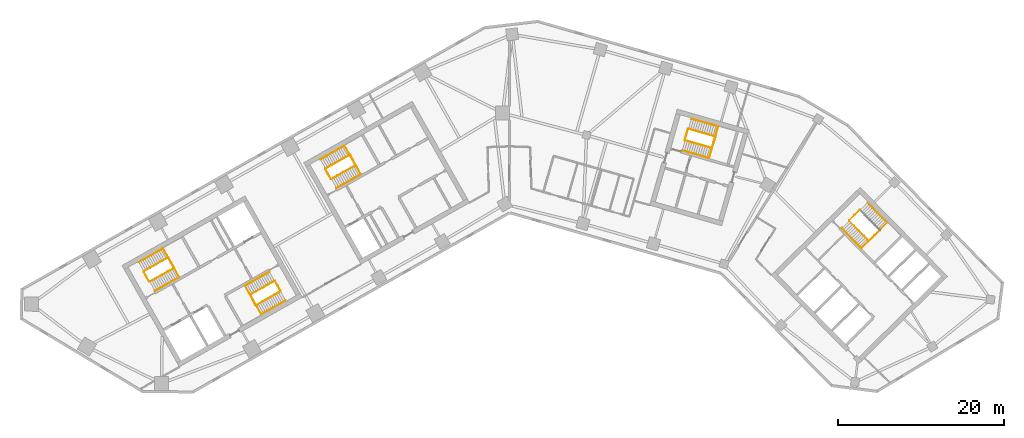
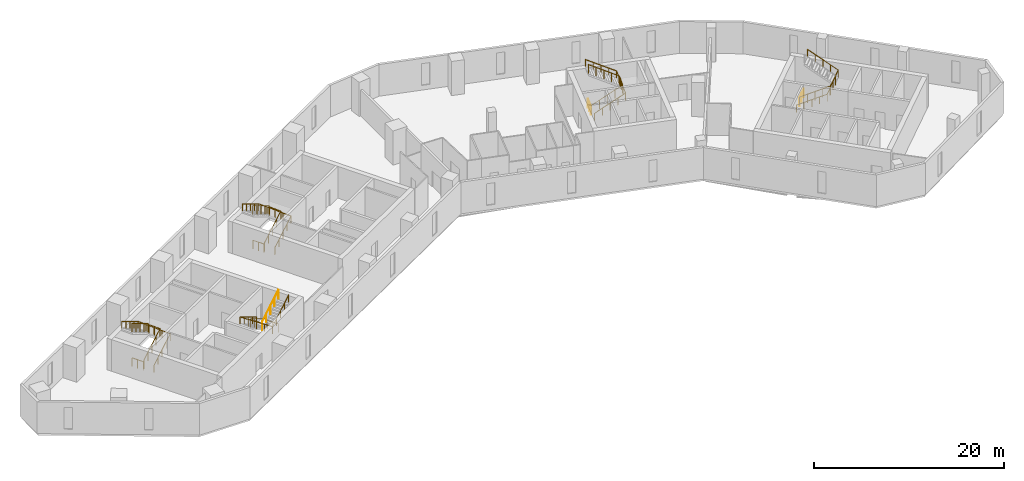
# One storey, part 9 of 10: 19 railings.
"""IFC4 building model written with IfcOpenShell, lengths in metres."""

from ifc_helpers import new_model, si_unit, direction, frame, origin, origin_2d, place, context, subcontext, project, spatial, circle, extrude, material, type_object, element, save


model = new_model("IFC4")

# Units and contexts
model_context = context("Model", 3, precision=1e-05, world=origin(), true_north=direction((0.0, 1.0)))
body_context = subcontext(model_context, "Body", "Model", "MODEL_VIEW")
ifc_project = project(units=[si_unit("LENGTHUNIT", "METRE"), si_unit("AREAUNIT", "SQUARE_METRE"), si_unit("VOLUMEUNIT", "CUBIC_METRE"), si_unit("PLANEANGLEUNIT", "RADIAN"), si_unit("MASSUNIT", "GRAM", prefix="KILO")], contexts=[model_context])

# Site, building, storey
site_placement = place(None, origin())
site = spatial("IfcSite", under=ifc_project, at=site_placement, CompositionType="ELEMENT")
building_placement = place(site_placement, origin())
building = spatial("IfcBuilding", under=site, at=building_placement, Name="Binnacle Exchange Tower", CompositionType="ELEMENT")
storey_placement = place(building_placement, frame((0.0, 0.0, 127.89990234375)))
storey = spatial("IfcBuildingStorey", under=building, at=storey_placement, Name="L26", CompositionType="ELEMENT", Elevation=127.89990234375)

# Railings
ifc_material_1 = material(Name="Steel guard rail", Category="steel")
railing_type_1 = type_object("IfcRailingType", Name="STAIR GUARD 1100", PredefinedType="GUARDRAIL", material=ifc_material_1)
railing_1_placement = place(storey_placement, frame((-43.26171875, 39.71728515625, 0.16943359375)))
element("IfcRailing", 1, at=railing_1_placement, inside=storey, type_object=railing_type_1, Name="L26 STA1 stair guard 1", PredefinedType="GUARDRAIL", context=body_context, shape_type="SweptSolid", body=[
    extrude(circle(Radius=0.02392578125, at=origin_2d()), frame((0.0, 0.0, 1.076171875), z_axis=(0.744867460262, 0.421436531824, 0.517265614832), x_axis=(-0.492433119026, 0.870350287693, 0.0)), (0.0, 0.0, 1.0), 3.926025390625),
    extrude(circle(Radius=0.02392578125, at=origin_2d()), frame((2.92431640625, 1.654541015625, 3.10693359375), z_axis=(-0.460963092712, 0.887419307406, 0.0), x_axis=(-0.887419307406, -0.460963092712, 0.0)), (0.0, 0.0, 1.0), 1.40087890625),
    extrude(circle(Radius=0.02099609375, at=origin_2d()), origin(), (0.0, 0.0, 1.0), 1.052001953125),
    extrude(circle(Radius=0.02099609375, at=origin_2d()), frame((0.73095703125, 0.41357421875, 0.5078125)), (0.0, 0.0, 1.0), 1.052001953125),
    extrude(circle(Radius=0.02099609375, at=origin_2d()), frame((1.462158203125, 0.8271484375, 1.015380859375)), (0.0, 0.0, 1.0), 1.052001953125),
    extrude(circle(Radius=0.02099609375, at=origin_2d()), frame((2.193359375, 1.240966796875, 1.52294921875)), (0.0, 0.0, 1.0), 1.052001953125),
    extrude(circle(Radius=0.02099609375, at=origin_2d()), frame((2.92431640625, 1.654541015625, 2.03076171875)), (0.0, 0.0, 1.0), 1.052001953125),
    extrude(circle(Radius=0.02099609375, at=origin_2d()), frame((2.6015625, 2.276123046875, 2.03076171875)), (0.0, 0.0, 1.0), 1.052001953125),
    extrude(circle(Radius=0.02099609375, at=origin_2d()), frame((2.278564453125, 2.897705078125, 2.03076171875)), (0.0, 0.0, 1.0), 1.052001953125),
])
railing_2_placement = place(storey_placement, frame((-41.05126953125, 42.6337890625, 2.369384765625)))
element("IfcRailing", 2, at=railing_2_placement, inside=storey, type_object=railing_type_1, Name="L26 STA1 stair guard 2", PredefinedType="GUARDRAIL", context=body_context, shape_type="SweptSolid", body=[
    extrude(circle(Radius=0.02392578125, at=origin_2d()), frame((0.0, 0.0, 1.076171875), z_axis=(-0.744895141965, -0.421417011194, 0.517241655469), x_axis=(0.49240197835, -0.870367905955, 0.0)), (0.0, 0.0, 1.0), 3.926025390625),
    extrude(circle(Radius=0.02099609375, at=origin_2d()), origin(), (0.0, 0.0, 1.0), 1.052001953125),
    extrude(circle(Radius=0.02099609375, at=origin_2d()), frame((-0.731201171875, -0.41357421875, 0.5078125)), (0.0, 0.0, 1.0), 1.052001953125),
    extrude(circle(Radius=0.02099609375, at=origin_2d()), frame((-1.46240234375, -0.8271484375, 1.015380859375)), (0.0, 0.0, 1.0), 1.052001953125),
    extrude(circle(Radius=0.02099609375, at=origin_2d()), frame((-2.193359375, -1.240966796875, 1.52294921875)), (0.0, 0.0, 1.0), 1.052001953125),
    extrude(circle(Radius=0.02099609375, at=origin_2d()), frame((-2.924560546875, -1.654541015625, 2.03076171875)), (0.0, 0.0, 1.0), 1.052001953125),
])
railing_3_placement = place(storey_placement, frame((-43.329833984375, 39.736328125, 0.0)))
element("IfcRailing", 3, at=railing_3_placement, inside=storey, type_object=railing_type_1, Name="L26 STA1 stair guard 3", PredefinedType="GUARDRAIL", context=body_context, shape_type="SweptSolid", body=[
    extrude(circle(Radius=0.02392578125, at=origin_2d()), frame((0.0, 0.0, 1.076171875), z_axis=(-0.4924922531, 0.870316827734, 0.0), x_axis=(-0.870316827734, -0.4924922531, 0.0)), (0.0, 0.0, 1.0), 1.349853515625),
    extrude(circle(Radius=0.02099609375, at=origin_2d()), origin(), (0.0, 0.0, 1.0), 1.052001953125),
    extrude(circle(Radius=0.02099609375, at=origin_2d()), frame((-0.33251953125, 0.58740234375, 0.0)), (0.0, 0.0, 1.0), 1.052001953125),
    extrude(circle(Radius=0.02099609375, at=origin_2d()), frame((-0.664794921875, 1.1748046875, 0.0)), (0.0, 0.0, 1.0), 1.052001953125),
])
railing_4_placement = place(storey_placement, frame((-28.265380859375, 39.814453125, 0.16943359375)))
element("IfcRailing", 4, at=railing_4_placement, inside=storey, type_object=railing_type_1, Name="L26 STA2 stair guard 1", PredefinedType="GUARDRAIL", context=body_context, shape_type="SweptSolid", body=[
    extrude(circle(Radius=0.02392578125, at=origin_2d()), frame((0.0, 0.0, 1.076171875), z_axis=(-0.744895141965, -0.421417011194, 0.517241655469), x_axis=(0.49240197835, -0.870367905955, 0.0)), (0.0, 0.0, 1.0), 3.926025390625),
    extrude(circle(Radius=0.02392578125, at=origin_2d()), frame((-2.924560546875, -1.654541015625, 3.10693359375), z_axis=(0.461100321709, -0.887348011391, 0.0), x_axis=(0.887348011391, 0.461100321709, 0.0)), (0.0, 0.0, 1.0), 1.40087890625),
    extrude(circle(Radius=0.02099609375, at=origin_2d()), origin(), (0.0, 0.0, 1.0), 1.052001953125),
    extrude(circle(Radius=0.02099609375, at=origin_2d()), frame((-0.731201171875, -0.41357421875, 0.5078125)), (0.0, 0.0, 1.0), 1.052001953125),
    extrude(circle(Radius=0.02099609375, at=origin_2d()), frame((-1.46240234375, -0.8271484375, 1.015380859375)), (0.0, 0.0, 1.0), 1.052001953125),
    extrude(circle(Radius=0.02099609375, at=origin_2d()), frame((-2.193359375, -1.240966796875, 1.52294921875)), (0.0, 0.0, 1.0), 1.052001953125),
    extrude(circle(Radius=0.02099609375, at=origin_2d()), frame((-2.924560546875, -1.654541015625, 2.03076171875)), (0.0, 0.0, 1.0), 1.052001953125),
    extrude(circle(Radius=0.02099609375, at=origin_2d()), frame((-2.6015625, -2.276123046875, 2.03076171875)), (0.0, 0.0, 1.0), 1.052001953125),
    extrude(circle(Radius=0.02099609375, at=origin_2d()), frame((-2.278564453125, -2.897705078125, 2.03076171875)), (0.0, 0.0, 1.0), 1.052001953125),
])
railing_5_placement = place(storey_placement, frame((-30.475830078125, 36.89794921875, 2.369384765625)))
element("IfcRailing", 5, at=railing_5_placement, inside=storey, type_object=railing_type_1, Name="L26 STA2 stair guard 2", PredefinedType="GUARDRAIL", context=body_context, shape_type="SweptSolid", body=[
    extrude(circle(Radius=0.02392578125, at=origin_2d()), frame((0.0, 0.0, 1.076171875), z_axis=(0.744867460262, 0.421436531824, 0.517265614832), x_axis=(-0.492433119026, 0.870350287693, 0.0)), (0.0, 0.0, 1.0), 3.926025390625),
    extrude(circle(Radius=0.02099609375, at=origin_2d()), origin(), (0.0, 0.0, 1.0), 1.052001953125),
    extrude(circle(Radius=0.02099609375, at=origin_2d()), frame((0.73095703125, 0.41357421875, 0.5078125)), (0.0, 0.0, 1.0), 1.052001953125),
    extrude(circle(Radius=0.02099609375, at=origin_2d()), frame((1.462158203125, 0.8271484375, 1.015380859375)), (0.0, 0.0, 1.0), 1.052001953125),
    extrude(circle(Radius=0.02099609375, at=origin_2d()), frame((2.193359375, 1.240966796875, 1.52294921875)), (0.0, 0.0, 1.0), 1.052001953125),
    extrude(circle(Radius=0.02099609375, at=origin_2d()), frame((2.92431640625, 1.654541015625, 2.03076171875)), (0.0, 0.0, 1.0), 1.052001953125),
])
railing_6_placement = place(storey_placement, frame((-28.197265625, 39.795654296875, 0.0)))
element("IfcRailing", 6, at=railing_6_placement, inside=storey, type_object=railing_type_1, Name="L26 STA2 stair guard 3", PredefinedType="GUARDRAIL", context=body_context, shape_type="SweptSolid", body=[
    extrude(circle(Radius=0.02392578125, at=origin_2d()), frame((0.0, 0.0, 1.076171875), z_axis=(0.49241474071, -0.870360685654, 0.0), x_axis=(0.870360685654, 0.49241474071, 0.0)), (0.0, 0.0, 1.0), 1.35009765625),
    extrude(circle(Radius=0.02099609375, at=origin_2d()), origin(), (0.0, 0.0, 1.0), 1.052001953125),
    extrude(circle(Radius=0.02099609375, at=origin_2d()), frame((0.33251953125, -0.58740234375, 0.0)), (0.0, 0.0, 1.0), 1.052001953125),
    extrude(circle(Radius=0.02099609375, at=origin_2d()), frame((0.664794921875, -1.175048828125, 0.0)), (0.0, 0.0, 1.0), 1.052001953125),
])
railing_7_placement = place(storey_placement, frame((40.822509765625, 47.046875, 0.16943359375)))
element("IfcRailing", 7, at=railing_7_placement, inside=storey, type_object=railing_type_1, Name="L26 STB1 stair guard 1", PredefinedType="GUARDRAIL", context=body_context, shape_type="SweptSolid", body=[
    extrude(circle(Radius=0.02392578125, at=origin_2d()), frame((0.0, 0.0, 1.076171875), z_axis=(0.599850224077, -0.610421915772, 0.51726665601), x_axis=(0.713256128111, 0.700903485305, 0.0)), (0.0, 0.0, 1.0), 3.926025390625),
    extrude(circle(Radius=0.02392578125, at=origin_2d()), frame((2.35498046875, -2.396484375, 3.10693359375), z_axis=(0.732527851538, 0.680737061369, 0.0), x_axis=(-0.680737061369, 0.732527851538, 0.0)), (0.0, 0.0, 1.0), 1.80078125),
    extrude(circle(Radius=0.02099609375, at=origin_2d()), origin(), (0.0, 0.0, 1.0), 1.052001953125),
    extrude(circle(Radius=0.02099609375, at=origin_2d()), frame((0.5888671875, -0.59912109375, 0.5078125)), (0.0, 0.0, 1.0), 1.052001953125),
    extrude(circle(Radius=0.02099609375, at=origin_2d()), frame((1.177490234375, -1.1982421875, 1.015380859375)), (0.0, 0.0, 1.0), 1.052001953125),
    extrude(circle(Radius=0.02099609375, at=origin_2d()), frame((1.76611328125, -1.79736328125, 1.52294921875)), (0.0, 0.0, 1.0), 1.052001953125),
    extrude(circle(Radius=0.02099609375, at=origin_2d()), frame((2.35498046875, -2.396484375, 2.03076171875)), (0.0, 0.0, 1.0), 1.052001953125),
    extrude(circle(Radius=0.02099609375, at=origin_2d()), frame((3.0146484375, -1.78369140625, 2.03076171875)), (0.0, 0.0, 1.0), 1.052001953125),
    extrude(circle(Radius=0.02099609375, at=origin_2d()), frame((3.674072265625, -1.170654296875, 2.03076171875)), (0.0, 0.0, 1.0), 1.052001953125),
])
railing_8_placement = place(storey_placement, frame((40.8232421875, 47.117431640625, 0.0)))
element("IfcRailing", 8, at=railing_8_placement, inside=storey, type_object=railing_type_1, Name="L26 STB1 stair guard 3", PredefinedType="GUARDRAIL", context=body_context, shape_type="SweptSolid", body=[
    extrude(circle(Radius=0.02392578125, at=origin_2d()), frame((0.0, 0.0, 1.076171875), z_axis=(0.713218950569, 0.700941316052, 0.0), x_axis=(-0.700941316052, 0.713218950569, 0.0)), (0.0, 0.0, 1.0), 1.75),
    extrude(circle(Radius=0.02099609375, at=origin_2d()), origin(), (0.0, 0.0, 1.0), 1.052001953125),
    extrude(circle(Radius=0.02099609375, at=origin_2d()), frame((0.6240234375, 0.61328125, 0.0)), (0.0, 0.0, 1.0), 1.052001953125),
    extrude(circle(Radius=0.02099609375, at=origin_2d()), frame((1.248046875, 1.2265625, 0.0)), (0.0, 0.0, 1.0), 1.052001953125),
])
railing_9_placement = place(storey_placement, frame((-21.423828125, 52.07275390625, 0.16943359375)))
element("IfcRailing", 9, at=railing_9_placement, inside=storey, type_object=railing_type_1, Name="L26 STC1 stair guard 1", PredefinedType="GUARDRAIL", context=body_context, shape_type="SweptSolid", body=[
    extrude(circle(Radius=0.02392578125, at=origin_2d()), frame((0.0, 0.0, 1.076171875), z_axis=(0.744895141965, 0.421417011194, 0.517241655469), x_axis=(-0.49240197835, 0.870367905955, 0.0)), (0.0, 0.0, 1.0), 3.926025390625),
    extrude(circle(Radius=0.02392578125, at=origin_2d()), frame((2.924560546875, 1.654541015625, 3.10693359375), z_axis=(-0.461171632143, 0.887310952094, 0.0), x_axis=(-0.887310952094, -0.461171632143, 0.0)), (0.0, 0.0, 1.0), 1.40087890625),
    extrude(circle(Radius=0.02099609375, at=origin_2d()), origin(), (0.0, 0.0, 1.0), 1.052001953125),
    extrude(circle(Radius=0.02099609375, at=origin_2d()), frame((0.731201171875, 0.41357421875, 0.5078125)), (0.0, 0.0, 1.0), 1.052001953125),
    extrude(circle(Radius=0.02099609375, at=origin_2d()), frame((1.46240234375, 0.8271484375, 1.015380859375)), (0.0, 0.0, 1.0), 1.052001953125),
    extrude(circle(Radius=0.02099609375, at=origin_2d()), frame((2.193359375, 1.240966796875, 1.52294921875)), (0.0, 0.0, 1.0), 1.052001953125),
    extrude(circle(Radius=0.02099609375, at=origin_2d()), frame((2.924560546875, 1.654541015625, 2.03076171875)), (0.0, 0.0, 1.0), 1.052001953125),
    extrude(circle(Radius=0.02099609375, at=origin_2d()), frame((2.6015625, 2.27587890625, 2.03076171875)), (0.0, 0.0, 1.0), 1.052001953125),
    extrude(circle(Radius=0.02099609375, at=origin_2d()), frame((2.278564453125, 2.8974609375, 2.03076171875)), (0.0, 0.0, 1.0), 1.052001953125),
])
railing_10_placement = place(storey_placement, frame((-19.21337890625, 54.9892578125, 2.369384765625)))
element("IfcRailing", 10, at=railing_10_placement, inside=storey, type_object=railing_type_1, Name="L26 STC1 stair guard 2", PredefinedType="GUARDRAIL", context=body_context, shape_type="SweptSolid", body=[
    extrude(circle(Radius=0.02392578125, at=origin_2d()), frame((0.0, 0.0, 1.076171875), z_axis=(-0.744867460262, -0.421436531824, 0.517265614832), x_axis=(0.492433119026, -0.870350287693, 0.0)), (0.0, 0.0, 1.0), 3.926025390625),
    extrude(circle(Radius=0.02099609375, at=origin_2d()), origin(), (0.0, 0.0, 1.0), 1.052001953125),
    extrude(circle(Radius=0.02099609375, at=origin_2d()), frame((-0.73095703125, -0.41357421875, 0.5078125)), (0.0, 0.0, 1.0), 1.052001953125),
    extrude(circle(Radius=0.02099609375, at=origin_2d()), frame((-1.462158203125, -0.8271484375, 1.015380859375)), (0.0, 0.0, 1.0), 1.052001953125),
    extrude(circle(Radius=0.02099609375, at=origin_2d()), frame((-2.193359375, -1.240966796875, 1.52294921875)), (0.0, 0.0, 1.0), 1.052001953125),
    extrude(circle(Radius=0.02099609375, at=origin_2d()), frame((-2.92431640625, -1.654541015625, 2.03076171875)), (0.0, 0.0, 1.0), 1.052001953125),
])
railing_11_placement = place(storey_placement, frame((-21.491943359375, 52.091552734375, 0.0)))
element("IfcRailing", 11, at=railing_11_placement, inside=storey, type_object=railing_type_1, Name="L26 STC1 stair guard 3", PredefinedType="GUARDRAIL", context=body_context, shape_type="SweptSolid", body=[
    extrude(circle(Radius=0.02392578125, at=origin_2d()), frame((0.0, 0.0, 1.076171875), z_axis=(-0.49241474071, 0.870360685654, 0.0), x_axis=(-0.870360685654, -0.49241474071, 0.0)), (0.0, 0.0, 1.0), 1.35009765625),
    extrude(circle(Radius=0.02099609375, at=origin_2d()), origin(), (0.0, 0.0, 1.0), 1.052001953125),
    extrude(circle(Radius=0.02099609375, at=origin_2d()), frame((-0.33251953125, 0.58740234375, 0.0)), (0.0, 0.0, 1.0), 1.052001953125),
    extrude(circle(Radius=0.02099609375, at=origin_2d()), frame((-0.664794921875, 1.175048828125, 0.0)), (0.0, 0.0, 1.0), 1.052001953125),
])
railing_12_placement = place(storey_placement, frame((21.086669921875, 56.71044921875, 0.16943359375)))
element("IfcRailing", 12, at=railing_12_placement, inside=storey, type_object=railing_type_1, Name="L26 STD1 stair guard 1", PredefinedType="GUARDRAIL", context=body_context, shape_type="SweptSolid", body=[
    extrude(circle(Radius=0.02392578125, at=origin_2d()), frame((0.0, 0.0, 1.076171875), z_axis=(0.82266146106, -0.235934506256, 0.517264950721), x_axis=(0.27568068152, 0.961249271436, 0.0)), (0.0, 0.0, 1.0), 3.926025390625),
    extrude(circle(Radius=0.02392578125, at=origin_2d()), frame((3.229736328125, -0.92626953125, 3.10693359375), z_axis=(0.309842533299, 0.950787886208, 0.0), x_axis=(-0.950787886208, 0.309842533299, 0.0)), (0.0, 0.0, 1.0), 1.40087890625),
    extrude(circle(Radius=0.02099609375, at=origin_2d()), origin(), (0.0, 0.0, 1.0), 1.052001953125),
    extrude(circle(Radius=0.02099609375, at=origin_2d()), frame((0.807373046875, -0.2314453125, 0.5078125)), (0.0, 0.0, 1.0), 1.052001953125),
    extrude(circle(Radius=0.02099609375, at=origin_2d()), frame((1.61474609375, -0.463134765625, 1.015380859375)), (0.0, 0.0, 1.0), 1.052001953125),
    extrude(circle(Radius=0.02099609375, at=origin_2d()), frame((2.42236328125, -0.69482421875, 1.52294921875)), (0.0, 0.0, 1.0), 1.052001953125),
    extrude(circle(Radius=0.02099609375, at=origin_2d()), frame((3.229736328125, -0.92626953125, 2.03076171875)), (0.0, 0.0, 1.0), 1.052001953125),
    extrude(circle(Radius=0.02099609375, at=origin_2d()), frame((3.44677734375, -0.26025390625, 2.03076171875)), (0.0, 0.0, 1.0), 1.052001953125),
    extrude(circle(Radius=0.02099609375, at=origin_2d()), frame((3.663818359375, 0.40576171875, 2.03076171875)), (0.0, 0.0, 1.0), 1.052001953125),
])
railing_13_placement = place(storey_placement, frame((24.716064453125, 57.177978515625, 2.369384765625)))
element("IfcRailing", 13, at=railing_13_placement, inside=storey, type_object=railing_type_1, Name="L26 STD1 stair guard 2", PredefinedType="GUARDRAIL", context=body_context, shape_type="SweptSolid", body=[
    extrude(circle(Radius=0.02392578125, at=origin_2d()), frame((0.0, 0.0, 1.076171875), z_axis=(-0.82266146106, 0.235934506256, 0.517264950721), x_axis=(-0.27568068152, -0.961249271436, 0.0)), (0.0, 0.0, 1.0), 3.926025390625),
    extrude(circle(Radius=0.02099609375, at=origin_2d()), origin(), (0.0, 0.0, 1.0), 1.052001953125),
    extrude(circle(Radius=0.02099609375, at=origin_2d()), frame((-0.807373046875, 0.2314453125, 0.5078125)), (0.0, 0.0, 1.0), 1.052001953125),
    extrude(circle(Radius=0.02099609375, at=origin_2d()), frame((-1.61474609375, 0.463134765625, 1.015380859375)), (0.0, 0.0, 1.0), 1.052001953125),
    extrude(circle(Radius=0.02099609375, at=origin_2d()), frame((-2.42236328125, 0.69482421875, 1.52294921875)), (0.0, 0.0, 1.0), 1.052001953125),
    extrude(circle(Radius=0.02099609375, at=origin_2d()), frame((-3.229736328125, 0.92626953125, 2.03076171875)), (0.0, 0.0, 1.0), 1.052001953125),
])
railing_14_placement = place(storey_placement, frame((21.05224609375, 56.772216796875, 0.0)))
element("IfcRailing", 14, at=railing_14_placement, inside=storey, type_object=railing_type_1, Name="L26 STD1 stair guard 3", PredefinedType="GUARDRAIL", context=body_context, shape_type="SweptSolid", body=[
    extrude(circle(Radius=0.02392578125, at=origin_2d()), frame((0.0, 0.0, 1.076171875), z_axis=(0.275795817769, 0.961216243569, 0.0), x_axis=(-0.961216243569, 0.275795817769, 0.0)), (0.0, 0.0, 1.0), 1.349853515625),
    extrude(circle(Radius=0.02099609375, at=origin_2d()), origin(), (0.0, 0.0, 1.0), 1.052001953125),
    extrude(circle(Radius=0.02099609375, at=origin_2d()), frame((0.18603515625, 0.64892578125, 0.0)), (0.0, 0.0, 1.0), 1.052001953125),
    extrude(circle(Radius=0.02099609375, at=origin_2d()), frame((0.372314453125, 1.297607421875, 0.0)), (0.0, 0.0, 1.0), 1.052001953125),
])
ifc_material_2 = material(Name="Steel handrail", Category="steel")
railing_type_2 = type_object("IfcRailingType", Name="STAIR HANDRAIL 900", PredefinedType="HANDRAIL", material=ifc_material_2)
railing_15_placement = place(storey_placement, frame((-42.646240234375, 38.62939453125, 0.16943359375)))
element("IfcRailing", 15, at=railing_15_placement, inside=storey, type_object=railing_type_2, Name="L26 STA1 stair handrail 1", PredefinedType="HANDRAIL", context=body_context, shape_type="SweptSolid", body=[
    extrude(circle(Radius=0.02392578125, at=origin_2d()), frame((0.0, 0.0, 0.8759765625), z_axis=(0.744867460262, 0.421436531824, 0.517265614832), x_axis=(-0.492433119026, 0.870350287693, 0.0)), (0.0, 0.0, 1.0), 3.926025390625),
    extrude(circle(Radius=0.02392578125, at=origin_2d()), frame((2.92431640625, 1.654541015625, 2.90673828125), z_axis=(-0.491962556146, 0.869564041126, 0.04279277663), x_axis=(-0.870361318571, -0.492413622004, 0.0)), (0.0, 0.0, 1.0), 3.95361328125),
    extrude(circle(Radius=0.02392578125, at=origin_2d()), frame((0.979248046875, 5.092529296875, 3.07568359375), z_axis=(-0.744867460262, -0.421436531824, 0.517265614832), x_axis=(0.492433119026, -0.870350287693, 0.0)), (0.0, 0.0, 1.0), 3.926025390625),
    extrude(circle(Radius=0.02099609375, at=origin_2d()), origin(), (0.0, 0.0, 1.0), 0.851806640625),
    extrude(circle(Radius=0.02099609375, at=origin_2d()), frame((0.73095703125, 0.41357421875, 0.5078125)), (0.0, 0.0, 1.0), 0.851806640625),
    extrude(circle(Radius=0.02099609375, at=origin_2d()), frame((1.462158203125, 0.8271484375, 1.015380859375)), (0.0, 0.0, 1.0), 0.851806640625),
    extrude(circle(Radius=0.02099609375, at=origin_2d()), frame((2.193359375, 1.240966796875, 1.52294921875)), (0.0, 0.0, 1.0), 0.851806640625),
    extrude(circle(Radius=0.02099609375, at=origin_2d()), frame((2.92431640625, 1.654541015625, 2.03076171875)), (0.0, 0.0, 1.0), 0.851806640625),
    extrude(circle(Radius=0.02099609375, at=origin_2d()), frame((2.43798828125, 2.51416015625, 2.072998046875)), (0.0, 0.0, 1.0), 0.851806640625),
    extrude(circle(Radius=0.02099609375, at=origin_2d()), frame((1.95166015625, 3.37353515625, 2.115234375)), (0.0, 0.0, 1.0), 0.851806640625),
    extrude(circle(Radius=0.02099609375, at=origin_2d()), frame((1.465576171875, 4.23291015625, 2.15771484375)), (0.0, 0.0, 1.0), 0.851806640625),
    extrude(circle(Radius=0.02099609375, at=origin_2d()), frame((0.979248046875, 5.092529296875, 2.199951171875)), (0.0, 0.0, 1.0), 0.851806640625),
    extrude(circle(Radius=0.02099609375, at=origin_2d()), frame((0.248046875, 4.678955078125, 2.70751953125)), (0.0, 0.0, 1.0), 0.851806640625),
    extrude(circle(Radius=0.02099609375, at=origin_2d()), frame((-0.48291015625, 4.26513671875, 3.21533203125)), (0.0, 0.0, 1.0), 0.851806640625),
    extrude(circle(Radius=0.02099609375, at=origin_2d()), frame((-1.2138671875, 3.8515625, 3.72314453125)), (0.0, 0.0, 1.0), 0.851806640625),
    extrude(circle(Radius=0.02099609375, at=origin_2d()), frame((-1.945068359375, 3.43798828125, 4.230712890625)), (0.0, 0.0, 1.0), 0.851806640625),
])
railing_16_placement = place(storey_placement, frame((-28.880859375, 40.90234375, 0.16943359375)))
element("IfcRailing", 16, at=railing_16_placement, inside=storey, type_object=railing_type_2, Name="L26 STA2 stair handrail 1", PredefinedType="HANDRAIL", context=body_context, shape_type="SweptSolid", body=[
    extrude(circle(Radius=0.02392578125, at=origin_2d()), frame((0.0, 0.0, 0.8759765625), z_axis=(-0.744895141965, -0.421417011194, 0.517241655469), x_axis=(0.49240197835, -0.870367905955, 0.0)), (0.0, 0.0, 1.0), 3.926025390625),
    extrude(circle(Radius=0.02392578125, at=origin_2d()), frame((-2.924560546875, -1.654541015625, 2.90673828125), z_axis=(0.491988973567, -0.869548981648, 0.042795074518), x_axis=(0.87034633103, 0.492440112159, 0.0)), (0.0, 0.0, 1.0), 3.953369140625),
    extrude(circle(Radius=0.02392578125, at=origin_2d()), frame((-0.9794921875, -5.09228515625, 3.07568359375), z_axis=(0.744895141965, 0.421417011194, 0.517241655469), x_axis=(-0.49240197835, 0.870367905955, 0.0)), (0.0, 0.0, 1.0), 3.926025390625),
    extrude(circle(Radius=0.02099609375, at=origin_2d()), origin(), (0.0, 0.0, 1.0), 0.851806640625),
    extrude(circle(Radius=0.02099609375, at=origin_2d()), frame((-0.731201171875, -0.41357421875, 0.5078125)), (0.0, 0.0, 1.0), 0.851806640625),
    extrude(circle(Radius=0.02099609375, at=origin_2d()), frame((-1.46240234375, -0.8271484375, 1.015380859375)), (0.0, 0.0, 1.0), 0.851806640625),
    extrude(circle(Radius=0.02099609375, at=origin_2d()), frame((-2.193359375, -1.240966796875, 1.52294921875)), (0.0, 0.0, 1.0), 0.851806640625),
    extrude(circle(Radius=0.02099609375, at=origin_2d()), frame((-2.924560546875, -1.654541015625, 2.03076171875)), (0.0, 0.0, 1.0), 0.851806640625),
    extrude(circle(Radius=0.02099609375, at=origin_2d()), frame((-2.438232421875, -2.513916015625, 2.072998046875)), (0.0, 0.0, 1.0), 0.851806640625),
    extrude(circle(Radius=0.02099609375, at=origin_2d()), frame((-1.9521484375, -3.37353515625, 2.115234375)), (0.0, 0.0, 1.0), 0.851806640625),
    extrude(circle(Radius=0.02099609375, at=origin_2d()), frame((-1.4658203125, -4.23291015625, 2.15771484375)), (0.0, 0.0, 1.0), 0.851806640625),
    extrude(circle(Radius=0.02099609375, at=origin_2d()), frame((-0.9794921875, -5.09228515625, 2.199951171875)), (0.0, 0.0, 1.0), 0.851806640625),
    extrude(circle(Radius=0.02099609375, at=origin_2d()), frame((-0.248291015625, -4.6787109375, 2.70751953125)), (0.0, 0.0, 1.0), 0.851806640625),
    extrude(circle(Radius=0.02099609375, at=origin_2d()), frame((0.48291015625, -4.26513671875, 3.21533203125)), (0.0, 0.0, 1.0), 0.851806640625),
    extrude(circle(Radius=0.02099609375, at=origin_2d()), frame((1.2138671875, -3.851318359375, 3.72314453125)), (0.0, 0.0, 1.0), 0.851806640625),
    extrude(circle(Radius=0.02099609375, at=origin_2d()), frame((1.945068359375, -3.437744140625, 4.230712890625)), (0.0, 0.0, 1.0), 0.851806640625),
])
railing_17_placement = place(storey_placement, frame((39.930908203125, 46.170654296875, 0.16943359375)))
element("IfcRailing", 17, at=railing_17_placement, inside=storey, type_object=railing_type_2, Name="L26 STB1 stair handrail 1", PredefinedType="HANDRAIL", context=body_context, shape_type="SweptSolid", body=[
    extrude(circle(Radius=0.02392578125, at=origin_2d()), frame((0.0, 0.0, 0.8759765625), z_axis=(0.599890032335, -0.610399145579, 0.51724736073), x_axis=(0.713219803244, 0.700940448441, 0.0)), (0.0, 0.0, 1.0), 3.926025390625),
    extrude(circle(Radius=0.02392578125, at=origin_2d()), frame((2.355224609375, -2.396484375, 2.90673828125), z_axis=(0.712714810107, 0.700376341566, 0.038866175905), x_axis=(-0.700905928746, 0.713253726978, 0.0)), (0.0, 0.0, 1.0), 4.35302734375),
    extrude(circle(Radius=0.02392578125, at=origin_2d()), frame((5.457763671875, 0.65234375, 3.07568359375), z_axis=(-0.599827453926, 0.610460928384, 0.517247020709), x_axis=(-0.713291821981, -0.70086716052, 0.0)), (0.0, 0.0, 1.0), 3.926025390625),
    extrude(circle(Radius=0.02099609375, at=origin_2d()), origin(), (0.0, 0.0, 1.0), 0.851806640625),
    extrude(circle(Radius=0.02099609375, at=origin_2d()), frame((0.5888671875, -0.59912109375, 0.5078125)), (0.0, 0.0, 1.0), 0.851806640625),
    extrude(circle(Radius=0.02099609375, at=origin_2d()), frame((1.177734375, -1.1982421875, 1.015380859375)), (0.0, 0.0, 1.0), 0.851806640625),
    extrude(circle(Radius=0.02099609375, at=origin_2d()), frame((1.766357421875, -1.79736328125, 1.52294921875)), (0.0, 0.0, 1.0), 0.851806640625),
    extrude(circle(Radius=0.02099609375, at=origin_2d()), frame((2.355224609375, -2.396484375, 2.03076171875)), (0.0, 0.0, 1.0), 0.851806640625),
    extrude(circle(Radius=0.02099609375, at=origin_2d()), frame((3.130859375, -1.63427734375, 2.072998046875)), (0.0, 0.0, 1.0), 0.851806640625),
    extrude(circle(Radius=0.02099609375, at=origin_2d()), frame((3.906494140625, -0.8720703125, 2.115234375)), (0.0, 0.0, 1.0), 0.851806640625),
    extrude(circle(Radius=0.02099609375, at=origin_2d()), frame((4.68212890625, -0.10986328125, 2.15771484375)), (0.0, 0.0, 1.0), 0.851806640625),
    extrude(circle(Radius=0.02099609375, at=origin_2d()), frame((5.457763671875, 0.65234375, 2.199951171875)), (0.0, 0.0, 1.0), 0.851806640625),
    extrude(circle(Radius=0.02099609375, at=origin_2d()), frame((4.869140625, 1.25146484375, 2.70751953125)), (0.0, 0.0, 1.0), 0.851806640625),
    extrude(circle(Radius=0.02099609375, at=origin_2d()), frame((4.2802734375, 1.8505859375, 3.21533203125)), (0.0, 0.0, 1.0), 0.851806640625),
    extrude(circle(Radius=0.02099609375, at=origin_2d()), frame((3.69140625, 2.449951171875, 3.72314453125)), (0.0, 0.0, 1.0), 0.851806640625),
    extrude(circle(Radius=0.02099609375, at=origin_2d()), frame((3.102783203125, 3.049072265625, 4.230712890625)), (0.0, 0.0, 1.0), 0.851806640625),
])
railing_18_placement = place(storey_placement, frame((-20.808349609375, 50.984619140625, 0.16943359375)))
element("IfcRailing", 18, at=railing_18_placement, inside=storey, type_object=railing_type_2, Name="L26 STC1 stair handrail 1", PredefinedType="HANDRAIL", context=body_context, shape_type="SweptSolid", body=[
    extrude(circle(Radius=0.02392578125, at=origin_2d()), frame((0.0, 0.0, 0.8759765625), z_axis=(0.744895141965, 0.421417011194, 0.517241655469), x_axis=(-0.49240197835, 0.870367905955, 0.0)), (0.0, 0.0, 1.0), 3.926025390625),
    extrude(circle(Radius=0.02392578125, at=origin_2d()), frame((2.924560546875, 1.654541015625, 2.90673828125), z_axis=(-0.491962556146, 0.869564041126, 0.04279277663), x_axis=(-0.870361318571, -0.492413622004, 0.0)), (0.0, 0.0, 1.0), 3.95361328125),
    extrude(circle(Radius=0.02392578125, at=origin_2d()), frame((0.9794921875, 5.092529296875, 3.07568359375), z_axis=(-0.744895141965, -0.421417011194, 0.517241655469), x_axis=(0.49240197835, -0.870367905955, 0.0)), (0.0, 0.0, 1.0), 3.926025390625),
    extrude(circle(Radius=0.02099609375, at=origin_2d()), origin(), (0.0, 0.0, 1.0), 0.851806640625),
    extrude(circle(Radius=0.02099609375, at=origin_2d()), frame((0.731201171875, 0.41357421875, 0.5078125)), (0.0, 0.0, 1.0), 0.851806640625),
    extrude(circle(Radius=0.02099609375, at=origin_2d()), frame((1.46240234375, 0.8271484375, 1.015380859375)), (0.0, 0.0, 1.0), 0.851806640625),
    extrude(circle(Radius=0.02099609375, at=origin_2d()), frame((2.193359375, 1.240966796875, 1.52294921875)), (0.0, 0.0, 1.0), 0.851806640625),
    extrude(circle(Radius=0.02099609375, at=origin_2d()), frame((2.924560546875, 1.654541015625, 2.03076171875)), (0.0, 0.0, 1.0), 0.851806640625),
    extrude(circle(Radius=0.02099609375, at=origin_2d()), frame((2.438232421875, 2.51416015625, 2.072998046875)), (0.0, 0.0, 1.0), 0.851806640625),
    extrude(circle(Radius=0.02099609375, at=origin_2d()), frame((1.9521484375, 3.37353515625, 2.115234375)), (0.0, 0.0, 1.0), 0.851806640625),
    extrude(circle(Radius=0.02099609375, at=origin_2d()), frame((1.4658203125, 4.23291015625, 2.15771484375)), (0.0, 0.0, 1.0), 0.851806640625),
    extrude(circle(Radius=0.02099609375, at=origin_2d()), frame((0.9794921875, 5.092529296875, 2.199951171875)), (0.0, 0.0, 1.0), 0.851806640625),
    extrude(circle(Radius=0.02099609375, at=origin_2d()), frame((0.248291015625, 4.678955078125, 2.70751953125)), (0.0, 0.0, 1.0), 0.851806640625),
    extrude(circle(Radius=0.02099609375, at=origin_2d()), frame((-0.48291015625, 4.26513671875, 3.21533203125)), (0.0, 0.0, 1.0), 0.851806640625),
    extrude(circle(Radius=0.02099609375, at=origin_2d()), frame((-1.2138671875, 3.8515625, 3.72314453125)), (0.0, 0.0, 1.0), 0.851806640625),
    extrude(circle(Radius=0.02099609375, at=origin_2d()), frame((-1.945068359375, 3.43798828125, 4.230712890625)), (0.0, 0.0, 1.0), 0.851806640625),
])
railing_19_placement = place(storey_placement, frame((20.7421875, 55.5087890625, 0.16943359375)))
element("IfcRailing", 19, at=railing_19_placement, inside=storey, type_object=railing_type_2, Name="L26 STD1 stair handrail 1", PredefinedType="HANDRAIL", context=body_context, shape_type="SweptSolid", body=[
    extrude(circle(Radius=0.02392578125, at=origin_2d()), frame((0.0, 0.0, 0.8759765625), z_axis=(0.82266146106, -0.235934506256, 0.517264950721), x_axis=(0.27568068152, 0.961249271436, 0.0)), (0.0, 0.0, 1.0), 3.926025390625),
    extrude(circle(Radius=0.02392578125, at=origin_2d()), frame((3.229736328125, -0.92626953125, 2.90673828125), z_axis=(0.275399082883, 0.960377115711, 0.042791830591), x_axis=(-0.961257617982, 0.275651576943, 0.0)), (0.0, 0.0, 1.0), 3.953857421875),
    extrude(circle(Radius=0.02392578125, at=origin_2d()), frame((4.318603515625, 2.870849609375, 3.07568359375), z_axis=(-0.822693627572, 0.235863713483, 0.517246076655), x_axis=(-0.275594289407, -0.961274043989, 0.0)), (0.0, 0.0, 1.0), 3.926025390625),
    extrude(circle(Radius=0.02099609375, at=origin_2d()), origin(), (0.0, 0.0, 1.0), 0.851806640625),
    extrude(circle(Radius=0.02099609375, at=origin_2d()), frame((0.807373046875, -0.2314453125, 0.5078125)), (0.0, 0.0, 1.0), 0.851806640625),
    extrude(circle(Radius=0.02099609375, at=origin_2d()), frame((1.61474609375, -0.463134765625, 1.015380859375)), (0.0, 0.0, 1.0), 0.851806640625),
    extrude(circle(Radius=0.02099609375, at=origin_2d()), frame((2.42236328125, -0.69482421875, 1.52294921875)), (0.0, 0.0, 1.0), 0.851806640625),
    extrude(circle(Radius=0.02099609375, at=origin_2d()), frame((3.229736328125, -0.92626953125, 2.03076171875)), (0.0, 0.0, 1.0), 0.851806640625),
    extrude(circle(Radius=0.02099609375, at=origin_2d()), frame((3.501953125, 0.02294921875, 2.072998046875)), (0.0, 0.0, 1.0), 0.851806640625),
    extrude(circle(Radius=0.02099609375, at=origin_2d()), frame((3.774169921875, 0.97216796875, 2.115234375)), (0.0, 0.0, 1.0), 0.851806640625),
    extrude(circle(Radius=0.02099609375, at=origin_2d()), frame((4.04638671875, 1.921630859375, 2.15771484375)), (0.0, 0.0, 1.0), 0.851806640625),
    extrude(circle(Radius=0.02099609375, at=origin_2d()), frame((4.318603515625, 2.870849609375, 2.199951171875)), (0.0, 0.0, 1.0), 0.851806640625),
    extrude(circle(Radius=0.02099609375, at=origin_2d()), frame((3.51123046875, 3.102294921875, 2.70751953125)), (0.0, 0.0, 1.0), 0.851806640625),
    extrude(circle(Radius=0.02099609375, at=origin_2d()), frame((2.70361328125, 3.333984375, 3.21533203125)), (0.0, 0.0, 1.0), 0.851806640625),
    extrude(circle(Radius=0.02099609375, at=origin_2d()), frame((1.89599609375, 3.5654296875, 3.72314453125)), (0.0, 0.0, 1.0), 0.851806640625),
    extrude(circle(Radius=0.02099609375, at=origin_2d()), frame((1.088623046875, 3.796875, 4.230712890625)), (0.0, 0.0, 1.0), 0.851806640625),
])

save(model, "model.ifc")
